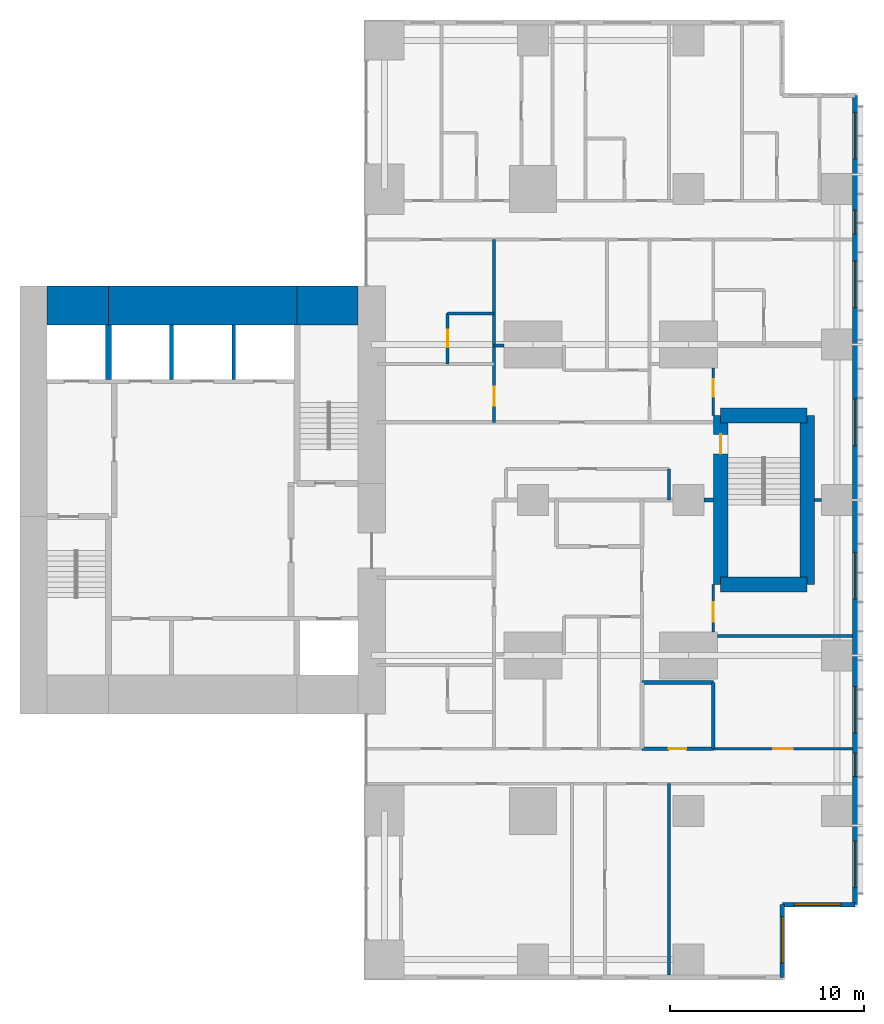
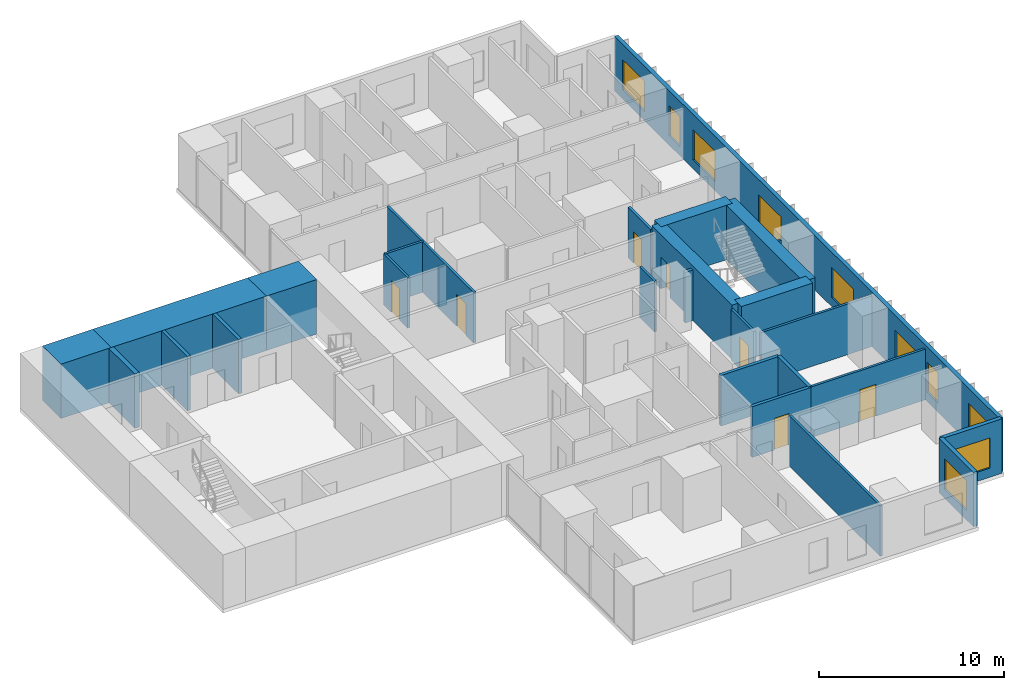
# One storey, part 9 of 12: 28 walls, 10 windows, 7 doors, 17 openings.
"""IFC4 building model written with IfcOpenShell, lengths in metres."""

from ifc_helpers import new_model, si_unit, direction, frame, frame_2d, origin, place, context, subcontext, project, spatial, rectangle, extrude, material, layer, layer_set, type_object, element, fill, save


model = new_model("IFC4")

# Units and contexts
model_context = context("Model", 3, precision=1e-05, world=origin(), true_north=direction((0.0, 1.0)))
body_context = subcontext(model_context, "Body", "Model", "MODEL_VIEW")
ifc_project = project(units=[si_unit("LENGTHUNIT", "METRE"), si_unit("AREAUNIT", "SQUARE_METRE"), si_unit("VOLUMEUNIT", "CUBIC_METRE"), si_unit("PLANEANGLEUNIT", "RADIAN"), si_unit("MASSUNIT", "GRAM", prefix="KILO")], contexts=[model_context])

# Site, building, storey
site_placement = place(None, origin())
site = spatial("IfcSite", under=ifc_project, at=site_placement, CompositionType="ELEMENT")
building_placement = place(site_placement, origin())
building = spatial("IfcBuilding", under=site, at=building_placement, Name="Cleftline Residences", CompositionType="ELEMENT")
storey_placement = place(building_placement, frame((0.0, 0.0, 252.0)))
storey = spatial("IfcBuildingStorey", under=building, at=storey_placement, Name="L66", CompositionType="ELEMENT", Elevation=252.0)

# Walls
ifc_material_1 = material(Name="Concrete B70", Category="concrete")
ifc_layer_1 = layer(ifc_material_1, 2.0)
ifc_layer_set_1 = layer_set([ifc_layer_1], Name="CORE WALL 2000")
wall_type_1 = type_object("IfcWallType", Name="CORE WALL 2000", PredefinedType="SHEAR", material=ifc_layer_set_1)
wall_1_placement = place(storey_placement, frame((25.0, 34.0, 0.0), z_axis=(0.0, 0.0, 1.0), x_axis=(1.0, 0.0, 0.0)))
element("IfcWall", 1, at=wall_1_placement, inside=storey, type_object=wall_type_1, Name="Core wall N1", PredefinedType="SHEAR", context=body_context, shape_type="SweptSolid", body=[
    extrude(rectangle(XDim=3.14990234375, YDim=2.0, at=frame_2d((1.574951171875, 0.0))), origin(), (0.0, 0.0, 1.0), 3.60009765625),
])
wall_2_placement = place(storey_placement, frame((28.14990234375, 34.0, 0.0), z_axis=(0.0, 0.0, 1.0), x_axis=(1.0, 0.0, 0.0)))
element("IfcWall", 2, at=wall_2_placement, inside=storey, type_object=wall_type_1, Name="Core wall N2", PredefinedType="SHEAR", context=body_context, shape_type="SweptSolid", body=[
    extrude(rectangle(XDim=9.7001953125, YDim=2.0, at=frame_2d((4.85009765625, 0.0))), origin(), (0.0, 0.0, 1.0), 3.60009765625),
])
wall_3_placement = place(storey_placement, frame((37.85009765625, 34.0, 0.0), z_axis=(0.0, 0.0, 1.0), x_axis=(1.0, 0.0, 0.0)))
element("IfcWall", 3, at=wall_3_placement, inside=storey, type_object=wall_type_1, Name="Core wall N3", PredefinedType="SHEAR", context=body_context, shape_type="SweptSolid", body=[
    extrude(rectangle(XDim=3.14990234375, YDim=2.0, at=frame_2d((1.574951171875, 0.0))), origin(), (0.0, 0.0, 1.0), 3.60009765625),
])
ifc_material_2 = material(Name="Concrete B70", Category="concrete")
ifc_layer_2 = layer(ifc_material_2, 0.300048828125)
ifc_layer_set_2 = layer_set([ifc_layer_2], Name="CORE WALL 300")
wall_type_2 = type_object("IfcWallType", Name="CORE WALL 300", PredefinedType="SHEAR", material=ifc_layer_set_2)
wall_4_placement = place(storey_placement, frame((28.14990234375, 30.199951171875, 0.0), z_axis=(0.0, 0.0, 1.0), x_axis=(0.0, 1.0, 0.0)))
element("IfcWall", 4, at=wall_4_placement, inside=storey, type_object=wall_type_2, Name="Lift shaft wall", PredefinedType="SHEAR", context=body_context, shape_type="SweptSolid", body=[
    extrude(rectangle(XDim=2.800048828125, YDim=0.300048828125, at=frame_2d((1.39990234375, 0.0))), origin(), (0.0, 0.0, 1.0), 3.60009765625),
])

# Wall, opening, window
ifc_material_3 = material(Name="Rendered reinforced concrete blockwork", Category="masonry")
ifc_layer_3 = layer(ifc_material_3, 0.25)
ifc_layer_set_3 = layer_set([ifc_layer_3], Name="EXTERNAL WALL 250")
wall_type_3 = type_object("IfcWallType", Name="EXTERNAL WALL 250", PredefinedType="SOLIDWALL", material=ifc_layer_set_3)
wall_5_placement = place(storey_placement, frame((62.824951171875, -0.574951171875, 0.0), z_axis=(0.0, 0.0, 1.0), x_axis=(0.0, 1.0, 0.0)))
wall_5 = element("IfcWall", 5, at=wall_5_placement, inside=storey, type_object=wall_type_3, Name="External wall", PredefinedType="SOLIDWALL", context=body_context, shape_type="SweptSolid", body=[
    extrude(rectangle(XDim=3.75, YDim=0.25, at=frame_2d((1.875, 0.0))), origin(), (0.0, 0.0, 1.0), 3.60009765625),
])
opening_1_placement = place(wall_5_placement, frame((0.737548828125, 0.0, 0.60009765625)))
opening_1 = element("IfcOpeningElement", 6, at=opening_1_placement, cuts=wall_5, Name="Opening W6", PredefinedType="OPENING", context=body_context, shape_type="SweptSolid", body=[
    extrude(rectangle(XDim=2.39990234375, YDim=2.0, at=frame_2d((1.199951171875, 1.0))), frame((0.0, 0.135009765625, 0.0), z_axis=(0.0, -1.0, 0.0), x_axis=(1.0, 0.0, 0.0)), (0.0, 0.0, 1.0), 0.27001953125),
])
ifc_material_4 = material(Name="Aluminium frame, clear double glazing", Category="aluminium")
window_type_1 = type_object("IfcWindowType", Name="WINDOW 2400X2000", PartitioningType="DOUBLE_PANEL_VERTICAL", PredefinedType="WINDOW", material=ifc_material_4)
window_1_placement = place(opening_1_placement, origin())
window_1 = element("IfcWindow", 7, at=window_1_placement, inside=storey, type_object=window_type_1, Name="Window", OverallHeight=2.0, OverallWidth=2.39990234375, PartitioningType="SINGLE_PANEL", PredefinedType="WINDOW", context=body_context, shape_type="SweptSolid", body=[
    extrude(rectangle(XDim=2.39990234375, YDim=2.0, at=frame_2d((1.199951171875, 1.0))), frame((0.0, 0.030029296875, 0.0), z_axis=(0.0, -1.0, 0.0), x_axis=(1.0, 0.0, 0.0)), (0.0, 0.0, 1.0), 0.06005859375),
])
fill(opening_1, window_1)

wall_6_placement = place(storey_placement, frame((62.824951171875, 3.175048828125, 0.0), z_axis=(0.0, 0.0, 1.0), x_axis=(1.0, 0.0, 0.0)))
wall_6 = element("IfcWall", 8, at=wall_6_placement, inside=storey, type_object=wall_type_3, Name="External wall", PredefinedType="SOLIDWALL", context=body_context, shape_type="SweptSolid", body=[
    extrude(rectangle(XDim=3.75, YDim=0.25, at=frame_2d((1.875, 0.0))), origin(), (0.0, 0.0, 1.0), 3.60009765625),
])
opening_2_placement = place(wall_6_placement, frame((0.612548828125, 0.0, 0.60009765625)))
opening_2 = element("IfcOpeningElement", 9, at=opening_2_placement, cuts=wall_6, Name="Opening W6", PredefinedType="OPENING", context=body_context, shape_type="SweptSolid", body=[
    extrude(rectangle(XDim=2.39990234375, YDim=2.0, at=frame_2d((1.199951171875, 1.0))), frame((0.0, 0.135009765625, 0.0), z_axis=(0.0, -1.0, 0.0), x_axis=(1.0, 0.0, 0.0)), (0.0, 0.0, 1.0), 0.27001953125),
])
window_2_placement = place(opening_2_placement, origin())
window_2 = element("IfcWindow", 10, at=window_2_placement, inside=storey, type_object=window_type_1, Name="Window", OverallHeight=2.0, OverallWidth=2.39990234375, PartitioningType="SINGLE_PANEL", PredefinedType="WINDOW", context=body_context, shape_type="SweptSolid", body=[
    extrude(rectangle(XDim=2.39990234375, YDim=2.0, at=frame_2d((1.199951171875, 1.0))), frame((0.0, 0.030029296875, 0.0), z_axis=(0.0, -1.0, 0.0), x_axis=(1.0, 0.0, 0.0)), (0.0, 0.0, 1.0), 0.06005859375),
])
fill(opening_2, window_2)

# Wall, openings, windows
wall_7_placement = place(storey_placement, frame((66.574951171875, 3.175048828125, 0.0), z_axis=(0.0, 0.0, 1.0), x_axis=(0.0, 1.0, 0.0)))
wall_7 = element("IfcWall", 11, at=wall_7_placement, inside=storey, type_object=wall_type_3, Name="External wall", PredefinedType="SOLIDWALL", context=body_context, shape_type="SweptSolid", body=[
    extrude(rectangle(XDim=41.64990234375, YDim=0.25, at=frame_2d((20.824951171875, 0.0))), origin(), (0.0, 0.0, 1.0), 3.60009765625),
])
opening_3_placement = place(wall_7_placement, frame((0.875, 0.0, 0.60009765625)))
opening_3 = element("IfcOpeningElement", 12, at=opening_3_placement, cuts=wall_7, Name="Opening W6", PredefinedType="OPENING", context=body_context, shape_type="SweptSolid", body=[
    extrude(rectangle(XDim=2.39990234375, YDim=2.0, at=frame_2d((1.199951171875, 1.0))), frame((0.0, 0.135009765625, 0.0), z_axis=(0.0, -1.0, 0.0), x_axis=(1.0, 0.0, 0.0)), (0.0, 0.0, 1.0), 0.27001953125),
])
opening_4_placement = place(wall_7_placement, frame((6.60009765625, 0.0, 0.60009765625)))
opening_4 = element("IfcOpeningElement", 13, at=opening_4_placement, cuts=wall_7, Name="Opening W8", PredefinedType="OPENING", context=body_context, shape_type="SweptSolid", body=[
    extrude(rectangle(XDim=1.199951171875, YDim=2.0, at=frame_2d((0.60009765625, 1.0))), frame((0.0, 0.135009765625, 0.0), z_axis=(0.0, -1.0, 0.0), x_axis=(1.0, 0.0, 0.0)), (0.0, 0.0, 1.0), 0.27001953125),
])
opening_5_placement = place(wall_7_placement, frame((8.824951171875, 0.0, 0.60009765625)))
opening_5 = element("IfcOpeningElement", 14, at=opening_5_placement, cuts=wall_7, Name="Opening W6", PredefinedType="OPENING", context=body_context, shape_type="SweptSolid", body=[
    extrude(rectangle(XDim=2.39990234375, YDim=2.0, at=frame_2d((1.199951171875, 1.0))), frame((0.0, 0.135009765625, 0.0), z_axis=(0.0, -1.0, 0.0), x_axis=(1.0, 0.0, 0.0)), (0.0, 0.0, 1.0), 0.27001953125),
])
opening_6_placement = place(wall_7_placement, frame((15.72509765625, 0.0, 0.60009765625)))
opening_6 = element("IfcOpeningElement", 15, at=opening_6_placement, cuts=wall_7, Name="Opening W6", PredefinedType="OPENING", context=body_context, shape_type="SweptSolid", body=[
    extrude(rectangle(XDim=2.39990234375, YDim=2.0, at=frame_2d((1.199951171875, 1.0))), frame((0.0, 0.135009765625, 0.0), z_axis=(0.0, -1.0, 0.0), x_axis=(1.0, 0.0, 0.0)), (0.0, 0.0, 1.0), 0.27001953125),
])
opening_7_placement = place(wall_7_placement, frame((23.625, 0.0, 0.60009765625)))
opening_7 = element("IfcOpeningElement", 16, at=opening_7_placement, cuts=wall_7, Name="Opening W6", PredefinedType="OPENING", context=body_context, shape_type="SweptSolid", body=[
    extrude(rectangle(XDim=2.39990234375, YDim=2.0, at=frame_2d((1.199951171875, 1.0))), frame((0.0, 0.135009765625, 0.0), z_axis=(0.0, -1.0, 0.0), x_axis=(1.0, 0.0, 0.0)), (0.0, 0.0, 1.0), 0.27001953125),
])
opening_8_placement = place(wall_7_placement, frame((30.72509765625, 0.0, 0.60009765625)))
opening_8 = element("IfcOpeningElement", 17, at=opening_8_placement, cuts=wall_7, Name="Opening W6", PredefinedType="OPENING", context=body_context, shape_type="SweptSolid", body=[
    extrude(rectangle(XDim=2.39990234375, YDim=2.0, at=frame_2d((1.199951171875, 1.0))), frame((0.0, 0.135009765625, 0.0), z_axis=(0.0, -1.0, 0.0), x_axis=(1.0, 0.0, 0.0)), (0.0, 0.0, 1.0), 0.27001953125),
])
opening_9_placement = place(wall_7_placement, frame((34.52490234375, 0.0, 0.60009765625)))
opening_9 = element("IfcOpeningElement", 18, at=opening_9_placement, cuts=wall_7, Name="Opening W8", PredefinedType="OPENING", context=body_context, shape_type="SweptSolid", body=[
    extrude(rectangle(XDim=1.199951171875, YDim=2.0, at=frame_2d((0.60009765625, 1.0))), frame((0.0, 0.135009765625, 0.0), z_axis=(0.0, -1.0, 0.0), x_axis=(1.0, 0.0, 0.0)), (0.0, 0.0, 1.0), 0.27001953125),
])
opening_10_placement = place(wall_7_placement, frame((38.375, 0.0, 0.60009765625)))
opening_10 = element("IfcOpeningElement", 19, at=opening_10_placement, cuts=wall_7, Name="Opening W6", PredefinedType="OPENING", context=body_context, shape_type="SweptSolid", body=[
    extrude(rectangle(XDim=2.39990234375, YDim=2.0, at=frame_2d((1.199951171875, 1.0))), frame((0.0, 0.135009765625, 0.0), z_axis=(0.0, -1.0, 0.0), x_axis=(1.0, 0.0, 0.0)), (0.0, 0.0, 1.0), 0.27001953125),
])
ifc_material_5 = material(Name="Aluminium frame, clear double glazing", Category="aluminium")
window_type_2 = type_object("IfcWindowType", Name="WINDOW 1200X2000", PartitioningType="DOUBLE_PANEL_VERTICAL", PredefinedType="WINDOW", material=ifc_material_5)
window_3_placement = place(opening_4_placement, origin())
window_3 = element("IfcWindow", 20, at=window_3_placement, inside=storey, type_object=window_type_2, Name="Window", OverallHeight=2.0, OverallWidth=1.199951171875, PartitioningType="SINGLE_PANEL", PredefinedType="WINDOW", context=body_context, shape_type="SweptSolid", body=[
    extrude(rectangle(XDim=1.199951171875, YDim=2.0, at=frame_2d((0.60009765625, 1.0))), frame((0.0, 0.030029296875, 0.0), z_axis=(0.0, -1.0, 0.0), x_axis=(1.0, 0.0, 0.0)), (0.0, 0.0, 1.0), 0.06005859375),
])
fill(opening_4, window_3)
window_4_placement = place(opening_9_placement, origin())
window_4 = element("IfcWindow", 21, at=window_4_placement, inside=storey, type_object=window_type_2, Name="Window", OverallHeight=2.0, OverallWidth=1.199951171875, PartitioningType="SINGLE_PANEL", PredefinedType="WINDOW", context=body_context, shape_type="SweptSolid", body=[
    extrude(rectangle(XDim=1.199951171875, YDim=2.0, at=frame_2d((0.60009765625, 1.0))), frame((0.0, 0.030029296875, 0.0), z_axis=(0.0, -1.0, 0.0), x_axis=(1.0, 0.0, 0.0)), (0.0, 0.0, 1.0), 0.06005859375),
])
fill(opening_9, window_4)
window_5_placement = place(opening_3_placement, origin())
window_5 = element("IfcWindow", 22, at=window_5_placement, inside=storey, type_object=window_type_1, Name="Window", OverallHeight=2.0, OverallWidth=2.39990234375, PartitioningType="SINGLE_PANEL", PredefinedType="WINDOW", context=body_context, shape_type="SweptSolid", body=[
    extrude(rectangle(XDim=2.39990234375, YDim=2.0, at=frame_2d((1.199951171875, 1.0))), frame((0.0, 0.030029296875, 0.0), z_axis=(0.0, -1.0, 0.0), x_axis=(1.0, 0.0, 0.0)), (0.0, 0.0, 1.0), 0.06005859375),
])
fill(opening_3, window_5)
window_6_placement = place(opening_5_placement, origin())
window_6 = element("IfcWindow", 23, at=window_6_placement, inside=storey, type_object=window_type_1, Name="Window", OverallHeight=2.0, OverallWidth=2.39990234375, PartitioningType="SINGLE_PANEL", PredefinedType="WINDOW", context=body_context, shape_type="SweptSolid", body=[
    extrude(rectangle(XDim=2.39990234375, YDim=2.0, at=frame_2d((1.199951171875, 1.0))), frame((0.0, 0.030029296875, 0.0), z_axis=(0.0, -1.0, 0.0), x_axis=(1.0, 0.0, 0.0)), (0.0, 0.0, 1.0), 0.06005859375),
])
fill(opening_5, window_6)
window_7_placement = place(opening_6_placement, origin())
window_7 = element("IfcWindow", 24, at=window_7_placement, inside=storey, type_object=window_type_1, Name="Window", OverallHeight=2.0, OverallWidth=2.39990234375, PartitioningType="SINGLE_PANEL", PredefinedType="WINDOW", context=body_context, shape_type="SweptSolid", body=[
    extrude(rectangle(XDim=2.39990234375, YDim=2.0, at=frame_2d((1.199951171875, 1.0))), frame((0.0, 0.030029296875, 0.0), z_axis=(0.0, -1.0, 0.0), x_axis=(1.0, 0.0, 0.0)), (0.0, 0.0, 1.0), 0.06005859375),
])
fill(opening_6, window_7)
window_8_placement = place(opening_7_placement, origin())
window_8 = element("IfcWindow", 25, at=window_8_placement, inside=storey, type_object=window_type_1, Name="Window", OverallHeight=2.0, OverallWidth=2.39990234375, PartitioningType="SINGLE_PANEL", PredefinedType="WINDOW", context=body_context, shape_type="SweptSolid", body=[
    extrude(rectangle(XDim=2.39990234375, YDim=2.0, at=frame_2d((1.199951171875, 1.0))), frame((0.0, 0.030029296875, 0.0), z_axis=(0.0, -1.0, 0.0), x_axis=(1.0, 0.0, 0.0)), (0.0, 0.0, 1.0), 0.06005859375),
])
fill(opening_7, window_8)
window_9_placement = place(opening_8_placement, origin())
window_9 = element("IfcWindow", 26, at=window_9_placement, inside=storey, type_object=window_type_1, Name="Window", OverallHeight=2.0, OverallWidth=2.39990234375, PartitioningType="SINGLE_PANEL", PredefinedType="WINDOW", context=body_context, shape_type="SweptSolid", body=[
    extrude(rectangle(XDim=2.39990234375, YDim=2.0, at=frame_2d((1.199951171875, 1.0))), frame((0.0, 0.030029296875, 0.0), z_axis=(0.0, -1.0, 0.0), x_axis=(1.0, 0.0, 0.0)), (0.0, 0.0, 1.0), 0.06005859375),
])
fill(opening_8, window_9)
window_10_placement = place(opening_10_placement, origin())
window_10 = element("IfcWindow", 27, at=window_10_placement, inside=storey, type_object=window_type_1, Name="Window", OverallHeight=2.0, OverallWidth=2.39990234375, PartitioningType="SINGLE_PANEL", PredefinedType="WINDOW", context=body_context, shape_type="SweptSolid", body=[
    extrude(rectangle(XDim=2.39990234375, YDim=2.0, at=frame_2d((1.199951171875, 1.0))), frame((0.0, 0.030029296875, 0.0), z_axis=(0.0, -1.0, 0.0), x_axis=(1.0, 0.0, 0.0)), (0.0, 0.0, 1.0), 0.06005859375),
])
fill(opening_10, window_10)

# Wall, opening, door
ifc_material_6 = material(Name="Concrete blockwork, fire rated", Category="masonry")
ifc_layer_4 = layer(ifc_material_6, 0.199951171875)
ifc_layer_set_4 = layer_set([ifc_layer_4], Name="FIRE WALL 200")
wall_type_4 = type_object("IfcWallType", Name="FIRE WALL 200", PredefinedType="PARTITIONING", material=ifc_layer_set_4)
wall_8_placement = place(storey_placement, frame((55.60009765625, 11.199951171875, 0.0), z_axis=(0.0, 0.0, 1.0), x_axis=(1.0, 0.0, 0.0)))
wall_8 = element("IfcWall", 28, at=wall_8_placement, inside=storey, type_object=wall_type_4, Name="Fire separating wall", PredefinedType="PARTITIONING", context=body_context, shape_type="SweptSolid", body=[
    extrude(rectangle(XDim=3.6748046875, YDim=0.199951171875, at=frame_2d((1.83740234375, 0.0))), origin(), (0.0, 0.0, 1.0), 3.35009765625),
])
opening_11_placement = place(wall_8_placement, frame((1.387451171875, 0.0, 0.0)))
opening_11 = element("IfcOpeningElement", 29, at=opening_11_placement, cuts=wall_8, Name="Opening D1F30", PredefinedType="OPENING", context=body_context, shape_type="SweptSolid", body=[
    extrude(rectangle(XDim=0.89990234375, YDim=2.10009765625, at=frame_2d((0.449951171875, 1.050048828125))), frame((0.0, 0.10986328125, 0.0), z_axis=(0.0, -1.0, 0.0), x_axis=(1.0, 0.0, 0.0)), (0.0, 0.0, 1.0), 0.219970703125),
])
ifc_material_7 = material(Name="Timber veneer on solid core", Category="wood")
door_type_1 = type_object("IfcDoorType", Name="DOOR 900X2100 EI 30", OperationType="SINGLE_SWING_LEFT", PredefinedType="DOOR", material=ifc_material_7)
door_1_placement = place(opening_11_placement, origin())
door_1 = element("IfcDoor", 30, at=door_1_placement, inside=storey, type_object=door_type_1, Name="Door to guest wc", OperationType="SINGLE_SWING_LEFT", OverallHeight=2.10009765625, OverallWidth=0.89990234375, PredefinedType="DOOR", context=body_context, shape_type="SweptSolid", body=[
    extrude(rectangle(XDim=0.89990234375, YDim=2.10009765625, at=frame_2d((0.449951171875, 1.050048828125))), frame((0.0, 0.02490234375, 0.0), z_axis=(0.0, -1.0, 0.0), x_axis=(1.0, 0.0, 0.0)), (0.0, 0.0, 1.0), 0.050048828125),
])
fill(opening_11, door_1)

# Walls
wall_9_placement = place(storey_placement, frame((55.60009765625, 14.60009765625, 0.0), z_axis=(0.0, 0.0, 1.0), x_axis=(1.0, 0.0, 0.0)))
element("IfcWall", 31, at=wall_9_placement, inside=storey, type_object=wall_type_4, Name="Fire separating wall", PredefinedType="PARTITIONING", context=body_context, shape_type="SweptSolid", body=[
    extrude(rectangle(XDim=3.6748046875, YDim=0.199951171875, at=frame_2d((1.83740234375, 0.0))), origin(), (0.0, 0.0, 1.0), 3.35009765625),
])
wall_10_placement = place(storey_placement, frame((58.800048828125, 24.0, 0.0), z_axis=(0.0, 0.0, 1.0), x_axis=(1.0, 0.0, 0.0)))
element("IfcWall", 32, at=wall_10_placement, inside=storey, type_object=wall_type_4, Name="Fire separating wall", PredefinedType="PARTITIONING", context=body_context, shape_type="SweptSolid", body=[
    extrude(rectangle(XDim=0.474853515625, YDim=0.199951171875, at=frame_2d((0.2373046875, 0.0))), origin(), (0.0, 0.0, 1.0), 3.35009765625),
])
wall_11_placement = place(storey_placement, frame((59.27490234375, 11.199951171875, 0.0), z_axis=(0.0, 0.0, 1.0), x_axis=(0.0, 1.0, 0.0)))
element("IfcWall", 33, at=wall_11_placement, inside=storey, type_object=wall_type_4, Name="Fire separating wall", PredefinedType="PARTITIONING", context=body_context, shape_type="SweptSolid", body=[
    extrude(rectangle(XDim=3.400146484375, YDim=0.199951171875, at=frame_2d((1.7001953125, 0.0))), origin(), (0.0, 0.0, 1.0), 3.35009765625),
])

# Wall, opening, door
ifc_material_8 = material(Name="Gypsum board on steel studs", Category="steel")
ifc_layer_5 = layer(ifc_material_8, 0.14990234375)
ifc_layer_set_5 = layer_set([ifc_layer_5], Name="PARTITION 150")
wall_type_5 = type_object("IfcWallType", Name="PARTITION 150", PredefinedType="PARTITIONING", material=ifc_layer_set_5)
wall_12_placement = place(storey_placement, frame((59.27490234375, 11.199951171875, 0.0), z_axis=(0.0, 0.0, 1.0), x_axis=(1.0, 0.0, 0.0)))
wall_12 = element("IfcWall", 34, at=wall_12_placement, inside=storey, type_object=wall_type_5, Name="Partition", PredefinedType="PARTITIONING", context=body_context, shape_type="SweptSolid", body=[
    extrude(rectangle(XDim=7.175048828125, YDim=0.14990234375, at=frame_2d((3.58740234375, 0.0))), origin(), (0.0, 0.0, 1.0), 3.35009765625),
])
opening_12_placement = place(wall_12_placement, frame((3.08740234375, 0.0, 0.0)))
opening_12 = element("IfcOpeningElement", 35, at=opening_12_placement, cuts=wall_12, Name="Opening D2", PredefinedType="OPENING", context=body_context, shape_type="SweptSolid", body=[
    extrude(rectangle(XDim=1.0, YDim=2.10009765625, at=frame_2d((0.5, 1.050048828125))), frame((0.0, 0.0849609375, 0.0), z_axis=(0.0, -1.0, 0.0), x_axis=(1.0, 0.0, 0.0)), (0.0, 0.0, 1.0), 0.169921875),
])
ifc_material_9 = material(Name="Timber veneer on solid core", Category="wood")
door_type_2 = type_object("IfcDoorType", Name="DOOR 1000X2100", OperationType="SINGLE_SWING_LEFT", PredefinedType="DOOR", material=ifc_material_9)
door_2_placement = place(opening_12_placement, origin())
door_2 = element("IfcDoor", 36, at=door_2_placement, inside=storey, type_object=door_type_2, Name="Door to sea-view living room", OperationType="SINGLE_SWING_LEFT", OverallHeight=2.10009765625, OverallWidth=1.0, PredefinedType="DOOR", context=body_context, shape_type="SweptSolid", body=[
    extrude(rectangle(XDim=1.0, YDim=2.10009765625, at=frame_2d((0.5, 1.050048828125))), frame((0.0, 0.02490234375, 0.0), z_axis=(0.0, -1.0, 0.0), x_axis=(1.0, 0.0, 0.0)), (0.0, 0.0, 1.0), 0.050048828125),
])
fill(opening_12, door_2)

# Walls
wall_13_placement = place(storey_placement, frame((59.5, 17.0, 0.0), z_axis=(0.0, 0.0, 1.0), x_axis=(1.0, 0.0, 0.0)))
element("IfcWall", 37, at=wall_13_placement, inside=storey, type_object=wall_type_5, Name="Partition", PredefinedType="PARTITIONING", context=body_context, shape_type="SweptSolid", body=[
    extrude(rectangle(XDim=6.949951171875, YDim=0.14990234375, at=frame_2d((3.47509765625, 0.0))), origin(), (0.0, 0.0, 1.0), 3.35009765625),
])
wall_14_placement = place(storey_placement, frame((64.47509765625, 24.0, 0.0), z_axis=(0.0, 0.0, 1.0), x_axis=(1.0, 0.0, 0.0)))
element("IfcWall", 38, at=wall_14_placement, inside=storey, type_object=wall_type_5, Name="Partition", PredefinedType="PARTITIONING", context=body_context, shape_type="SweptSolid", body=[
    extrude(rectangle(XDim=0.375, YDim=0.14990234375, at=frame_2d((0.1875, 0.0))), origin(), (0.0, 0.0, 1.0), 3.35009765625),
])
wall_15_placement = place(storey_placement, frame((48.0, 31.949951171875, 0.0), z_axis=(0.0, 0.0, 1.0), x_axis=(1.0, 0.0, 0.0)))
element("IfcWall", 39, at=wall_15_placement, inside=storey, type_object=wall_type_5, Name="Partition", PredefinedType="PARTITIONING", context=body_context, shape_type="SweptSolid", body=[
    extrude(rectangle(XDim=0.5, YDim=0.14990234375, at=frame_2d((0.25, 0.0))), origin(), (0.0, 0.0, 1.0), 2.634033203125),
])
wall_16_placement = place(storey_placement, frame((45.60009765625, 33.60009765625, 0.0), z_axis=(0.0, 0.0, 1.0), x_axis=(1.0, 0.0, 0.0)))
element("IfcWall", 40, at=wall_16_placement, inside=storey, type_object=wall_type_5, Name="Partition", PredefinedType="PARTITIONING", context=body_context, shape_type="SweptSolid", body=[
    extrude(rectangle(XDim=2.39990234375, YDim=0.14990234375, at=frame_2d((1.199951171875, 0.0))), origin(), (0.0, 0.0, 1.0), 3.35009765625),
])

# Wall, opening, door
wall_17_placement = place(storey_placement, frame((45.60009765625, 31.0, 0.0), z_axis=(0.0, 0.0, 1.0), x_axis=(0.0, 1.0, 0.0)))
wall_17 = element("IfcWall", 41, at=wall_17_placement, inside=storey, type_object=wall_type_5, Name="Partition", PredefinedType="PARTITIONING", context=body_context, shape_type="SweptSolid", body=[
    extrude(rectangle(XDim=2.60009765625, YDim=0.14990234375, at=frame_2d((1.300048828125, 0.0))), origin(), (0.0, 0.0, 1.0), 3.35009765625),
])
opening_13_placement = place(wall_17_placement, frame((0.85009765625, 0.0, 0.0)))
opening_13 = element("IfcOpeningElement", 42, at=opening_13_placement, cuts=wall_17, Name="Opening D1", PredefinedType="OPENING", context=body_context, shape_type="SweptSolid", body=[
    extrude(rectangle(XDim=0.89990234375, YDim=2.10009765625, at=frame_2d((0.449951171875, 1.050048828125))), frame((0.0, 0.0849609375, 0.0), z_axis=(0.0, -1.0, 0.0), x_axis=(1.0, 0.0, 0.0)), (0.0, 0.0, 1.0), 0.169921875),
])
ifc_material_10 = material(Name="Timber veneer on solid core", Category="wood")
door_type_3 = type_object("IfcDoorType", Name="DOOR 900X2100", OperationType="SINGLE_SWING_LEFT", PredefinedType="DOOR", material=ifc_material_10)
door_3_placement = place(opening_13_placement, origin())
door_3 = element("IfcDoor", 43, at=door_3_placement, inside=storey, type_object=door_type_3, Name="Door to en-suite bathroom 5", OperationType="SINGLE_SWING_LEFT", OverallHeight=2.10009765625, OverallWidth=0.89990234375, PredefinedType="DOOR", context=body_context, shape_type="SweptSolid", body=[
    extrude(rectangle(XDim=0.89990234375, YDim=2.10009765625, at=frame_2d((0.449951171875, 1.050048828125))), frame((0.0, 0.02490234375, 0.0), z_axis=(0.0, -1.0, 0.0), x_axis=(1.0, 0.0, 0.0)), (0.0, 0.0, 1.0), 0.050048828125),
])
fill(opening_13, door_3)

wall_18_placement = place(storey_placement, frame((48.0, 28.0, 0.0), z_axis=(0.0, 0.0, 1.0), x_axis=(0.0, 1.0, 0.0)))
wall_18 = element("IfcWall", 44, at=wall_18_placement, inside=storey, type_object=wall_type_5, Name="Partition", PredefinedType="PARTITIONING", context=body_context, shape_type="SweptSolid", body=[
    extrude(rectangle(XDim=9.39990234375, YDim=0.14990234375, at=frame_2d((4.699951171875, 0.0))), origin(), (0.0, 0.0, 1.0), 3.35009765625),
])
opening_14_placement = place(wall_18_placement, frame((0.83740234375, 0.0, 0.0)))
opening_14 = element("IfcOpeningElement", 45, at=opening_14_placement, cuts=wall_18, Name="Opening D2", PredefinedType="OPENING", context=body_context, shape_type="SweptSolid", body=[
    extrude(rectangle(XDim=1.0, YDim=2.10009765625, at=frame_2d((0.5, 1.050048828125))), frame((0.0, 0.0849609375, 0.0), z_axis=(0.0, -1.0, 0.0), x_axis=(1.0, 0.0, 0.0)), (0.0, 0.0, 1.0), 0.169921875),
])
door_4_placement = place(opening_14_placement, origin())
door_4 = element("IfcDoor", 46, at=door_4_placement, inside=storey, type_object=door_type_2, Name="Door to morning kitchen", OperationType="SINGLE_SWING_RIGHT", OverallHeight=2.10009765625, OverallWidth=1.0, PredefinedType="DOOR", context=body_context, shape_type="SweptSolid", body=[
    extrude(rectangle(XDim=1.0, YDim=2.10009765625, at=frame_2d((0.5, 1.050048828125))), frame((0.0, 0.02490234375, 0.0), z_axis=(0.0, -1.0, 0.0), x_axis=(1.0, 0.0, 0.0)), (0.0, 0.0, 1.0), 0.050048828125),
])
fill(opening_14, door_4)

# Walls
wall_19_placement = place(storey_placement, frame((57.0, -0.449951171875, 0.0), z_axis=(0.0, 0.0, 1.0), x_axis=(0.0, 1.0, 0.0)))
element("IfcWall", 47, at=wall_19_placement, inside=storey, type_object=wall_type_5, Name="Partition", PredefinedType="PARTITIONING", context=body_context, shape_type="SweptSolid", body=[
    extrude(rectangle(XDim=9.849853515625, YDim=0.14990234375, at=frame_2d((4.9248046875, 0.0))), origin(), (0.0, 0.0, 1.0), 3.35009765625),
])
wall_20_placement = place(storey_placement, frame((57.0, 24.0, 0.0), z_axis=(0.0, 0.0, 1.0), x_axis=(0.0, 1.0, 0.0)))
element("IfcWall", 48, at=wall_20_placement, inside=storey, type_object=wall_type_5, Name="Partition", PredefinedType="PARTITIONING", context=body_context, shape_type="SweptSolid", body=[
    extrude(rectangle(XDim=1.60009765625, YDim=0.14990234375, at=frame_2d((0.800048828125, 0.0))), origin(), (0.0, 0.0, 1.0), 3.35009765625),
])

# Wall, opening, door
wall_21_placement = place(storey_placement, frame((59.27490234375, 17.199951171875, 0.0), z_axis=(0.0, 0.0, 1.0), x_axis=(0.0, 1.0, 0.0)))
wall_21 = element("IfcWall", 49, at=wall_21_placement, inside=storey, type_object=wall_type_5, Name="Partition", PredefinedType="PARTITIONING", context=body_context, shape_type="SweptSolid", body=[
    extrude(rectangle(XDim=2.449951171875, YDim=0.14990234375, at=frame_2d((1.22509765625, 0.0))), origin(), (0.0, 0.0, 1.0), 3.35009765625),
])
opening_15_placement = place(wall_21_placement, frame((0.53759765625, 0.0, 0.0)))
opening_15 = element("IfcOpeningElement", 50, at=opening_15_placement, cuts=wall_21, Name="Opening D2", PredefinedType="OPENING", context=body_context, shape_type="SweptSolid", body=[
    extrude(rectangle(XDim=1.0, YDim=2.10009765625, at=frame_2d((0.5, 1.050048828125))), frame((0.0, 0.0849609375, 0.0), z_axis=(0.0, -1.0, 0.0), x_axis=(1.0, 0.0, 0.0)), (0.0, 0.0, 1.0), 0.169921875),
])
door_5_placement = place(opening_15_placement, origin())
door_5 = element("IfcDoor", 51, at=door_5_placement, inside=storey, type_object=door_type_2, Name="Door to altar room", OperationType="SINGLE_SWING_RIGHT", OverallHeight=2.10009765625, OverallWidth=1.0, PredefinedType="DOOR", context=body_context, shape_type="SweptSolid", body=[
    extrude(rectangle(XDim=1.0, YDim=2.10009765625, at=frame_2d((0.5, 1.050048828125))), frame((0.0, 0.02490234375, 0.0), z_axis=(0.0, -1.0, 0.0), x_axis=(1.0, 0.0, 0.0)), (0.0, 0.0, 1.0), 0.050048828125),
])
fill(opening_15, door_5)

wall_22_placement = place(storey_placement, frame((59.27490234375, 28.35009765625, 0.0), z_axis=(0.0, 0.0, 1.0), x_axis=(0.0, 1.0, 0.0)))
wall_22 = element("IfcWall", 52, at=wall_22_placement, inside=storey, type_object=wall_type_5, Name="Partition", PredefinedType="PARTITIONING", context=body_context, shape_type="SweptSolid", body=[
    extrude(rectangle(XDim=2.449951171875, YDim=0.14990234375, at=frame_2d((1.22509765625, 0.0))), origin(), (0.0, 0.0, 1.0), 3.35009765625),
])
opening_16_placement = place(wall_22_placement, frame((0.96240234375, 0.0, 0.0)))
opening_16 = element("IfcOpeningElement", 53, at=opening_16_placement, cuts=wall_22, Name="Opening D1", PredefinedType="OPENING", context=body_context, shape_type="SweptSolid", body=[
    extrude(rectangle(XDim=0.89990234375, YDim=2.10009765625, at=frame_2d((0.449951171875, 1.050048828125))), frame((0.0, 0.0849609375, 0.0), z_axis=(0.0, -1.0, 0.0), x_axis=(1.0, 0.0, 0.0)), (0.0, 0.0, 1.0), 0.169921875),
])
door_6_placement = place(opening_16_placement, origin())
door_6 = element("IfcDoor", 54, at=door_6_placement, inside=storey, type_object=door_type_3, Name="Door to master dressing room", OperationType="SINGLE_SWING_LEFT", OverallHeight=2.10009765625, OverallWidth=0.89990234375, PredefinedType="DOOR", context=body_context, shape_type="SweptSolid", body=[
    extrude(rectangle(XDim=0.89990234375, YDim=2.10009765625, at=frame_2d((0.449951171875, 1.050048828125))), frame((0.0, 0.02490234375, 0.0), z_axis=(0.0, -1.0, 0.0), x_axis=(1.0, 0.0, 0.0)), (0.0, 0.0, 1.0), 0.050048828125),
])
fill(opening_16, door_6)

# Walls
ifc_material_11 = material(Name="Concrete blockwork, fire rated", Category="masonry")
ifc_layer_6 = layer(ifc_material_11, 0.199951171875)
ifc_layer_set_6 = layer_set([ifc_layer_6], Name="SHAFT WALL 200")
wall_type_6 = type_object("IfcWallType", Name="SHAFT WALL 200", PredefinedType="PARTITIONING", material=ifc_layer_set_6)
for number, where, z_axis, x_axis, name in (
    (55, (31.39990234375, 30.199951171875, 0.0), (0.0, 0.0, 1.0), (0.0, 1.0, 0.0), "Lift shaft wall"),
    (56, (34.60009765625, 30.199951171875, 0.0), (0.0, 0.0, 1.0), (0.0, 1.0, 0.0), "Lift shaft wall"),
):
    element("IfcWall", number, at=place(storey_placement, frame(where, z_axis=z_axis, x_axis=x_axis)), inside=storey, type_object=wall_type_6, Name=name, PredefinedType="PARTITIONING", context=body_context, shape_type="SweptSolid", body=[
        extrude(rectangle(XDim=2.800048828125, YDim=0.199951171875, at=frame_2d((1.39990234375, 0.0))), origin(), (0.0, 0.0, 1.0), 3.60009765625),
    ])
ifc_material_12 = material(Name="Concrete B70", Category="concrete")
ifc_layer_7 = layer(ifc_material_12, 0.75)
ifc_layer_set_7 = layer_set([ifc_layer_7], Name="SHEAR WALL 750")
wall_type_7 = type_object("IfcWallType", Name="SHEAR WALL 750", PredefinedType="SHEAR", material=ifc_layer_set_7)
wall_23_placement = place(storey_placement, frame((59.64990234375, 19.64990234375, 0.0), z_axis=(0.0, 0.0, 1.0), x_axis=(1.0, 0.0, 0.0)))
element("IfcWall", 57, at=wall_23_placement, inside=storey, type_object=wall_type_7, Name="Wing shear wall", PredefinedType="SHEAR", context=body_context, shape_type="SweptSolid", body=[
    extrude(rectangle(XDim=4.4501953125, YDim=0.75, at=frame_2d((2.22509765625, 0.0))), origin(), (0.0, 0.0, 1.0), 3.60009765625),
])
wall_24_placement = place(storey_placement, frame((64.10009765625, 19.64990234375, 0.0), z_axis=(0.0, 0.0, 1.0), x_axis=(0.0, 1.0, 0.0)))
element("IfcWall", 58, at=wall_24_placement, inside=storey, type_object=wall_type_7, Name="Wing shear wall", PredefinedType="SHEAR", context=body_context, shape_type="SweptSolid", body=[
    extrude(rectangle(XDim=8.7001953125, YDim=0.75, at=frame_2d((4.35009765625, 0.0))), origin(), (0.0, 0.0, 1.0), 3.60009765625),
])
wall_25_placement = place(storey_placement, frame((64.10009765625, 28.35009765625, 0.0), z_axis=(0.0, 0.0, 1.0), x_axis=(-1.0, 0.0, 0.0)))
element("IfcWall", 59, at=wall_25_placement, inside=storey, type_object=wall_type_7, Name="Wing shear wall", PredefinedType="SHEAR", context=body_context, shape_type="SweptSolid", body=[
    extrude(rectangle(XDim=4.4501953125, YDim=0.75, at=frame_2d((2.22509765625, 0.0))), origin(), (0.0, 0.0, 1.0), 3.60009765625),
])

# Wall, opening, door
wall_26_placement = place(storey_placement, frame((59.64990234375, 28.35009765625, 0.0), z_axis=(0.0, 0.0, 1.0), x_axis=(0.0, -1.0, 0.0)))
wall_26 = element("IfcWall", 60, at=wall_26_placement, inside=storey, type_object=wall_type_7, Name="Wing shear wall", PredefinedType="SHEAR", context=body_context, shape_type="SweptSolid", body=[
    extrude(rectangle(XDim=8.7001953125, YDim=0.75, at=frame_2d((4.35009765625, 0.0))), origin(), (0.0, 0.0, 1.0), 3.60009765625),
])
opening_17_placement = place(wall_26_placement, frame((0.97509765625, 0.0, 0.0)))
opening_17 = element("IfcOpeningElement", 61, at=opening_17_placement, cuts=wall_26, Name="Opening D5", PredefinedType="OPENING", context=body_context, shape_type="SweptSolid", body=[
    extrude(rectangle(XDim=1.0, YDim=2.10009765625, at=frame_2d((0.5, 1.050048828125))), frame((0.0, 0.385009765625, 0.0), z_axis=(0.0, -1.0, 0.0), x_axis=(1.0, 0.0, 0.0)), (0.0, 0.0, 1.0), 0.77001953125),
])
ifc_material_13 = material(Name="Steel", Category="steel")
door_type_4 = type_object("IfcDoorType", Name="STAIR DOOR 1000X2100", OperationType="SINGLE_SWING_LEFT", PredefinedType="DOOR", material=ifc_material_13)
door_7_placement = place(opening_17_placement, origin())
door_7 = element("IfcDoor", 62, at=door_7_placement, inside=storey, type_object=door_type_4, Name="Stair E door", OperationType="SINGLE_SWING_RIGHT", OverallHeight=2.10009765625, OverallWidth=1.0, PredefinedType="DOOR", context=body_context, shape_type="SweptSolid", body=[
    extrude(rectangle(XDim=1.0, YDim=2.10009765625, at=frame_2d((0.5, 1.050048828125))), frame((0.0, 0.02490234375, 0.0), z_axis=(0.0, -1.0, 0.0), x_axis=(1.0, 0.0, 0.0)), (0.0, 0.0, 1.0), 0.050048828125),
])
fill(opening_17, door_7)

save(model, "model.ifc")
